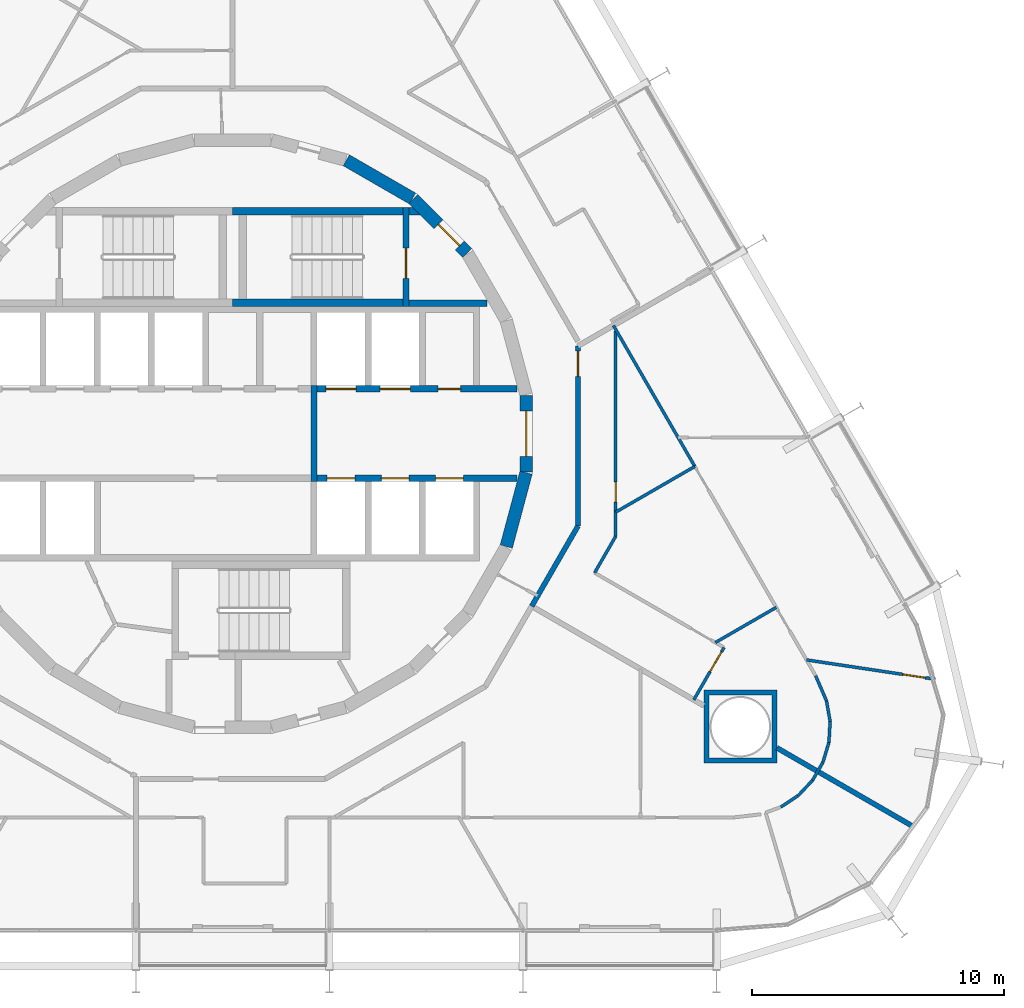
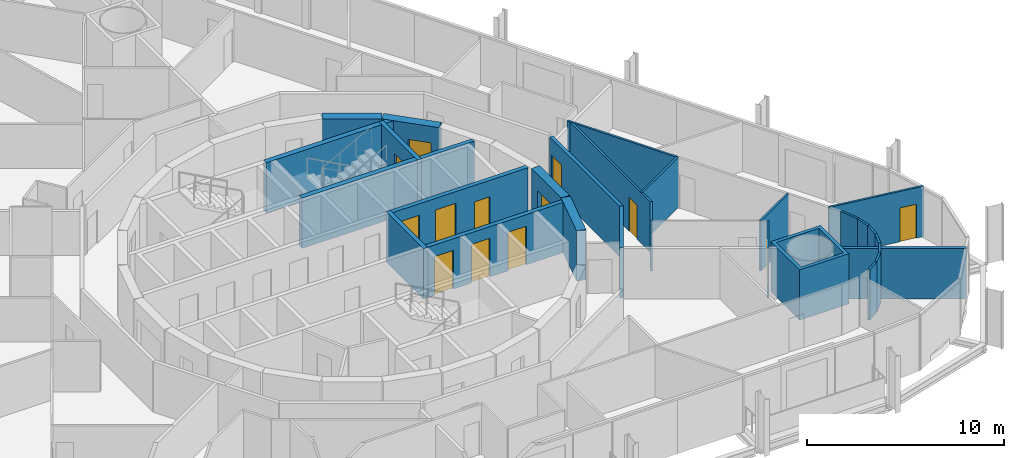
# One storey, part 16 of 20: 30 walls, 13 doors, 13 openings.
"""IFC4 building model written with IfcOpenShell, lengths in metres."""

from ifc_helpers import new_model, si_unit, direction, frame, frame_2d, origin, place, context, subcontext, project, spatial, polyline, rectangle, outline, extrude, material, layer, layer_set, type_object, element, fill, save


model = new_model("IFC4")

# Units and contexts
model_context = context("Model", 3, precision=1e-05, world=origin(), true_north=direction((0.0, 1.0)))
body_context = subcontext(model_context, "Body", "Model", "MODEL_VIEW")
ifc_project = project(units=[si_unit("LENGTHUNIT", "METRE"), si_unit("AREAUNIT", "SQUARE_METRE"), si_unit("VOLUMEUNIT", "CUBIC_METRE"), si_unit("PLANEANGLEUNIT", "RADIAN"), si_unit("MASSUNIT", "GRAM", prefix="KILO")], contexts=[model_context])

# Site, building, storey
site_placement = place(None, origin())
site = spatial("IfcSite", under=ifc_project, at=site_placement, CompositionType="ELEMENT")
building_placement = place(site_placement, origin())
building = spatial("IfcBuilding", under=site, at=building_placement, Name="Spindle Arch Residences", CompositionType="ELEMENT")
storey_placement = place(building_placement, frame((0.0, 0.0, 41.89990234375)))
storey = spatial("IfcBuildingStorey", under=building, at=storey_placement, Name="L08", CompositionType="ELEMENT", Elevation=41.89990234375)

# Wall
ifc_material_1 = material(Name="Concrete C50/60", Category="concrete")
ifc_layer_1 = layer(ifc_material_1, 0.5)
ifc_layer_set_1 = layer_set([ifc_layer_1], Name="Core outline wall 500")
wall_type_1 = type_object("IfcWallType", Name="Core outline wall 500", PredefinedType="SHEAR", material=ifc_layer_set_1)
wall_1_placement = place(storey_placement, frame((10.858154296875, -4.479248046875, 0.0), z_axis=(0.0, 0.0, 1.0), x_axis=(0.258734743916, 0.965948410781, 0.0)))
element("IfcWall", 1, at=wall_1_placement, inside=storey, type_object=wall_type_1, Name="Core outline wall 5", PredefinedType="SHEAR", context=body_context, shape_type="SweptSolid", body=[
    extrude(rectangle(XDim=3.03271484375, YDim=0.5, at=frame_2d((1.516357421875, 0.0))), origin(), (0.0, 0.0, 1.0), 3.1201171875),
])

# Wall, opening, door
wall_2_placement = place(storey_placement, frame((11.647216796875, -1.516357421875, 0.0), z_axis=(0.0, 0.0, 1.0), x_axis=(0.0, 1.0, 0.0)))
wall_2 = element("IfcWall", 2, at=wall_2_placement, inside=storey, type_object=wall_type_1, Name="Core outline wall 6", PredefinedType="SHEAR", context=body_context, shape_type="SweptSolid", body=[
    extrude(rectangle(XDim=3.03271484375, YDim=0.5, at=frame_2d((1.516357421875, 0.0))), origin(), (0.0, 0.0, 1.0), 3.1201171875),
])
opening_1_placement = place(wall_2_placement, frame((0.6162109375, 0.0, 0.0)))
opening_1 = element("IfcOpeningElement", 3, at=opening_1_placement, cuts=wall_2, Name="Opening R1A1-FE01", PredefinedType="OPENING", context=body_context, shape_type="SweptSolid", body=[
    extrude(rectangle(XDim=1.800048828125, YDim=2.10009765625, at=frame_2d((0.89990234375, 1.050048828125))), frame((0.0, 0.260009765625, 0.0), z_axis=(0.0, -1.0, 0.0), x_axis=(1.0, 0.0, 0.0)), (0.0, 0.0, 1.0), 0.52001953125),
])
ifc_material_2 = material(Name="Steel, fire-resisting door", Category="steel")
door_type_1 = type_object("IfcDoorType", Name="Fire-lift lobby door 1800x2100", OperationType="DOUBLE_DOOR_SINGLE_SWING", PredefinedType="DOOR", material=ifc_material_2)
door_1_placement = place(opening_1_placement, origin())
door_1 = element("IfcDoor", 4, at=door_1_placement, inside=storey, type_object=door_type_1, Name="Fire-lift lobby door R1A1-FE01", OperationType="DOUBLE_DOOR_SINGLE_SWING", OverallHeight=2.10009765625, OverallWidth=1.800048828125, PredefinedType="DOOR", context=body_context, shape_type="SweptSolid", body=[
    extrude(rectangle(XDim=1.800048828125, YDim=2.10009765625, at=frame_2d((0.89990234375, 1.050048828125))), frame((0.0, 0.02490234375, 0.0), z_axis=(0.0, -1.0, 0.0), x_axis=(1.0, 0.0, 0.0)), (0.0, 0.0, 1.0), 0.050048828125),
])
fill(opening_1, door_1)

wall_3_placement = place(storey_placement, frame((9.30810546875, 7.163818359375, 0.0), z_axis=(0.0, 0.0, 1.0), x_axis=(-0.707106781187, 0.707106781187, 0.0)))
wall_3 = element("IfcWall", 5, at=wall_3_placement, inside=storey, type_object=wall_type_1, Name="Core outline wall 9", PredefinedType="SHEAR", context=body_context, shape_type="SweptSolid", body=[
    extrude(rectangle(XDim=3.032470703125, YDim=0.5, at=frame_2d((1.51611328125, 0.0))), origin(), (0.0, 0.0, 1.0), 3.1201171875),
])
opening_2_placement = place(wall_3_placement, frame((0.416259765625, 0.0, 0.0)))
opening_2 = element("IfcOpeningElement", 6, at=opening_2_placement, cuts=wall_3, Name="Opening R1A1-AD01", PredefinedType="OPENING", context=body_context, shape_type="SweptSolid", body=[
    extrude(rectangle(XDim=1.199951171875, YDim=2.10009765625, at=frame_2d((0.60009765625, 1.050048828125))), frame((0.0, 0.260009765625, 0.0), z_axis=(0.0, -1.0, 0.0), x_axis=(1.0, 0.0, 0.0)), (0.0, 0.0, 1.0), 0.52001953125),
])
ifc_material_3 = material(Name="Steel, fire-resisting door", Category="steel")
door_type_2 = type_object("IfcDoorType", Name="Stair airlock door 1200x2100", OperationType="SINGLE_SWING_LEFT", PredefinedType="DOOR", material=ifc_material_3)
door_2_placement = place(opening_2_placement, origin())
door_2 = element("IfcDoor", 7, at=door_2_placement, inside=storey, type_object=door_type_2, Name="Stair airlock door R1A1-AD01", OperationType="SINGLE_SWING_RIGHT", OverallHeight=2.10009765625, OverallWidth=1.199951171875, PredefinedType="DOOR", context=body_context, shape_type="SweptSolid", body=[
    extrude(rectangle(XDim=1.199951171875, YDim=2.10009765625, at=frame_2d((0.60009765625, 1.050048828125))), frame((0.0, 0.02490234375, 0.0), z_axis=(0.0, -1.0, 0.0), x_axis=(1.0, 0.0, 0.0)), (0.0, 0.0, 1.0), 0.050048828125),
])
fill(opening_2, door_2)

# Walls
wall_4_placement = place(storey_placement, frame((7.13671875, 9.32861328125, 0.0), z_axis=(0.0, 0.0, 1.0), x_axis=(-0.865975092491, 0.500087131594, 0.0)))
element("IfcWall", 8, at=wall_4_placement, inside=storey, type_object=wall_type_1, Name="Core outline wall 10", PredefinedType="SHEAR", context=body_context, shape_type="SweptSolid", body=[
    extrude(rectangle(XDim=3.03271484375, YDim=0.5, at=frame_2d((1.516357421875, 0.0))), origin(), (0.0, 0.0, 1.0), 3.1201171875),
])
ifc_material_4 = material(Name="Calcium silicate block, plastered")
ifc_layer_2 = layer(ifc_material_4, 0.199951171875)
ifc_layer_set_2 = layer_set([ifc_layer_2], Name="Corridor wall 200")
wall_type_2 = type_object("IfcWallType", Name="Corridor wall 200", PredefinedType="STANDARD", material=ifc_layer_set_2)
wall_5_placement = place(storey_placement, frame((11.864990234375, -6.84912109375, 0.0), z_axis=(0.0, 0.0, 1.0), x_axis=(0.500002704028, 0.866023842607, 0.0)))
element("IfcWall", 9, at=wall_5_placement, inside=storey, type_object=wall_type_2, Name="Corridor wall R1A1-W007", PredefinedType="STANDARD", context=body_context, shape_type="SweptSolid", body=[
    extrude(rectangle(XDim=3.669921875, YDim=0.199951171875, at=frame_2d((1.8349609375, 0.0))), origin(), (0.0, 0.0, 1.0), 3.1201171875),
])

# Wall, opening, door
wall_6_placement = place(storey_placement, frame((13.699951171875, -3.6708984375, 0.0), z_axis=(0.0, 0.0, 1.0), x_axis=(0.0, 1.0, 0.0)))
wall_6 = element("IfcWall", 10, at=wall_6_placement, inside=storey, type_object=wall_type_2, Name="Corridor wall R1A1-W008", PredefinedType="STANDARD", context=body_context, shape_type="SweptSolid", body=[
    extrude(rectangle(XDim=7.146484375, YDim=0.199951171875, at=frame_2d((3.5732421875, 0.0))), origin(), (0.0, 0.0, 1.0), 3.1201171875),
])
opening_3_placement = place(wall_6_placement, frame((5.946533203125, 0.0, 0.0)))
opening_3 = element("IfcOpeningElement", 11, at=opening_3_placement, cuts=wall_6, Name="Opening R1A1-FD06", PredefinedType="OPENING", context=body_context, shape_type="SweptSolid", body=[
    extrude(rectangle(XDim=1.0, YDim=2.10009765625, at=frame_2d((0.5, 1.050048828125))), frame((0.0, 0.10986328125, 0.0), z_axis=(0.0, -1.0, 0.0), x_axis=(1.0, 0.0, 0.0)), (0.0, 0.0, 1.0), 0.219970703125),
])
ifc_material_5 = material(Name="Timber, fire-resisting door set", Category="wood")
door_type_3 = type_object("IfcDoorType", Name="Flat entrance door 1000x2100", OperationType="NOTDEFINED", PredefinedType="DOOR", material=ifc_material_5)
door_3_placement = place(opening_3_placement, origin())
door_3 = element("IfcDoor", 12, at=door_3_placement, inside=storey, type_object=door_type_3, Name="Flat entrance door R1A1-FD06", OperationType="SINGLE_SWING_LEFT", OverallHeight=2.10009765625, OverallWidth=1.0, PredefinedType="DOOR", context=body_context, shape_type="SweptSolid", body=[
    extrude(rectangle(XDim=1.0, YDim=2.10009765625, at=frame_2d((0.5, 1.050048828125))), frame((0.0, 0.02490234375, 0.0), z_axis=(0.0, -1.0, 0.0), x_axis=(1.0, 0.0, 0.0)), (0.0, 0.0, 1.0), 0.050048828125),
])
fill(opening_3, door_3)

# Wall, openings, doors
ifc_material_6 = material(Name="Concrete C40/50", Category="concrete")
ifc_layer_3 = layer(ifc_material_6, 0.25)
ifc_layer_set_3 = layer_set([ifc_layer_3], Name="Fire-lift lobby wall 250")
wall_type_3 = type_object("IfcWallType", Name="Fire-lift lobby wall 250", PredefinedType="SHEAR", material=ifc_layer_set_3)
wall_7_placement = place(storey_placement, frame((3.35009765625, 1.77490234375, 0.0), z_axis=(0.0, 0.0, 1.0), x_axis=(1.0, 0.0, 0.0)))
wall_7 = element("IfcWall", 13, at=wall_7_placement, inside=storey, type_object=wall_type_3, Name="Lift shaft front wall NE", PredefinedType="SHEAR", context=body_context, shape_type="SweptSolid", body=[
    extrude(rectangle(XDim=7.929931640625, YDim=0.25, at=frame_2d((3.96484375, 0.0))), origin(), (0.0, 0.0, 1.0), 3.1201171875),
])
opening_4_placement = place(wall_7_placement, frame((0.35009765625, 0.0, 0.0)))
opening_4 = element("IfcOpeningElement", 14, at=opening_4_placement, cuts=wall_7, Name="Opening R1A1-SLD01", PredefinedType="OPENING", context=body_context, shape_type="SweptSolid", body=[
    extrude(rectangle(XDim=1.199951171875, YDim=2.39990234375, at=frame_2d((0.60009765625, 1.199951171875))), frame((0.0, 0.135009765625, 0.0), z_axis=(0.0, -1.0, 0.0), x_axis=(1.0, 0.0, 0.0)), (0.0, 0.0, 1.0), 0.27001953125),
])
opening_5_placement = place(wall_7_placement, frame((2.5, 0.0, 0.0)))
opening_5 = element("IfcOpeningElement", 15, at=opening_5_placement, cuts=wall_7, Name="Opening R1A1-SLD02", PredefinedType="OPENING", context=body_context, shape_type="SweptSolid", body=[
    extrude(rectangle(XDim=1.199951171875, YDim=2.39990234375, at=frame_2d((0.60009765625, 1.199951171875))), frame((0.0, 0.135009765625, 0.0), z_axis=(0.0, -1.0, 0.0), x_axis=(1.0, 0.0, 0.0)), (0.0, 0.0, 1.0), 0.27001953125),
])
opening_6_placement = place(wall_7_placement, frame((4.800048828125, 0.0, 0.0)))
opening_6 = element("IfcOpeningElement", 16, at=opening_6_placement, cuts=wall_7, Name="Opening R1A1-WD03", PredefinedType="OPENING", context=body_context, shape_type="SweptSolid", body=[
    extrude(rectangle(XDim=0.89990234375, YDim=2.10009765625, at=frame_2d((0.449951171875, 1.050048828125))), frame((0.0, 0.135009765625, 0.0), z_axis=(0.0, -1.0, 0.0), x_axis=(1.0, 0.0, 0.0)), (0.0, 0.0, 1.0), 0.27001953125),
])
ifc_material_7 = material(Name="Steel, fire-resisting landing door", Category="steel")
door_type_4 = type_object("IfcDoorType", Name="Service lift landing door 1200x2400", OperationType="DOUBLE_DOOR_SLIDING", PredefinedType="DOOR", material=ifc_material_7)
door_4_placement = place(opening_4_placement, origin())
door_4 = element("IfcDoor", 17, at=door_4_placement, inside=storey, type_object=door_type_4, Name="Service lift landing door R1A1-SLD01", OperationType="DOUBLE_DOOR_SLIDING", OverallHeight=2.39990234375, OverallWidth=1.199951171875, PredefinedType="DOOR", context=body_context, shape_type="SweptSolid", body=[
    extrude(rectangle(XDim=1.199951171875, YDim=2.39990234375, at=frame_2d((0.60009765625, 1.199951171875))), frame((0.0, 0.02490234375, 0.0), z_axis=(0.0, -1.0, 0.0), x_axis=(1.0, 0.0, 0.0)), (0.0, 0.0, 1.0), 0.050048828125),
])
fill(opening_4, door_4)
door_5_placement = place(opening_5_placement, origin())
door_5 = element("IfcDoor", 18, at=door_5_placement, inside=storey, type_object=door_type_4, Name="Service lift landing door R1A1-SLD02", OperationType="DOUBLE_DOOR_SLIDING", OverallHeight=2.39990234375, OverallWidth=1.199951171875, PredefinedType="DOOR", context=body_context, shape_type="SweptSolid", body=[
    extrude(rectangle(XDim=1.199951171875, YDim=2.39990234375, at=frame_2d((0.60009765625, 1.199951171875))), frame((0.0, 0.02490234375, 0.0), z_axis=(0.0, -1.0, 0.0), x_axis=(1.0, 0.0, 0.0)), (0.0, 0.0, 1.0), 0.050048828125),
])
fill(opening_5, door_5)
ifc_material_8 = material(Name="Steel, fire-resisting door", Category="steel")
door_type_5 = type_object("IfcDoorType", Name="Service room door 900x2100", OperationType="SINGLE_SWING_LEFT", PredefinedType="DOOR", material=ifc_material_8)
door_6_placement = place(opening_6_placement, origin())
door_6 = element("IfcDoor", 19, at=door_6_placement, inside=storey, type_object=door_type_5, Name="Service room door R1A1-WD03", OperationType="SINGLE_SWING_RIGHT", OverallHeight=2.10009765625, OverallWidth=0.89990234375, PredefinedType="DOOR", context=body_context, shape_type="SweptSolid", body=[
    extrude(rectangle(XDim=0.89990234375, YDim=2.10009765625, at=frame_2d((0.449951171875, 1.050048828125))), frame((0.0, 0.02490234375, 0.0), z_axis=(0.0, -1.0, 0.0), x_axis=(1.0, 0.0, 0.0)), (0.0, 0.0, 1.0), 0.050048828125),
])
fill(opening_6, door_6)

# Wall
wall_8_placement = place(storey_placement, frame((3.22509765625, -1.89990234375, 0.0), z_axis=(0.0, 0.0, 1.0), x_axis=(0.0, 1.0, 0.0)))
element("IfcWall", 20, at=wall_8_placement, inside=storey, type_object=wall_type_3, Name="Fire-fighting lobby partition", PredefinedType="SHEAR", context=body_context, shape_type="SweptSolid", body=[
    extrude(rectangle(XDim=3.7998046875, YDim=0.25, at=frame_2d((1.89990234375, 0.0))), origin(), (0.0, 0.0, 1.0), 3.1201171875),
])

# Wall, openings, doors
ifc_material_9 = material(Name="Concrete C50/60", Category="concrete")
ifc_layer_4 = layer(ifc_material_9, 0.25)
ifc_layer_set_4 = layer_set([ifc_layer_4], Name="Fire-lift shaft wall 250")
wall_type_4 = type_object("IfcWallType", Name="Fire-lift shaft wall 250", PredefinedType="SHEAR", material=ifc_layer_set_4)
wall_9_placement = place(storey_placement, frame((3.35009765625, -1.77490234375, 0.0), z_axis=(0.0, 0.0, 1.0), x_axis=(1.0, 0.0, 0.0)))
wall_9 = element("IfcWall", 21, at=wall_9_placement, inside=storey, type_object=wall_type_4, Name="Lift shaft front wall SE", PredefinedType="SHEAR", context=body_context, shape_type="SweptSolid", body=[
    extrude(rectangle(XDim=7.929931640625, YDim=0.25, at=frame_2d((3.96484375, 0.0))), origin(), (0.0, 0.0, 1.0), 3.1201171875),
])
opening_7_placement = place(wall_9_placement, frame((0.39990234375, 0.0, 0.0)))
opening_7 = element("IfcOpeningElement", 22, at=opening_7_placement, cuts=wall_9, Name="Opening R1A1-FLD01", PredefinedType="OPENING", context=body_context, shape_type="SweptSolid", body=[
    extrude(rectangle(XDim=1.10009765625, YDim=2.39990234375, at=frame_2d((0.550048828125, 1.199951171875))), frame((0.0, 0.135009765625, 0.0), z_axis=(0.0, -1.0, 0.0), x_axis=(1.0, 0.0, 0.0)), (0.0, 0.0, 1.0), 0.27001953125),
])
opening_8_placement = place(wall_9_placement, frame((2.550048828125, 0.0, 0.0)))
opening_8 = element("IfcOpeningElement", 23, at=opening_8_placement, cuts=wall_9, Name="Opening R1A1-FLD02", PredefinedType="OPENING", context=body_context, shape_type="SweptSolid", body=[
    extrude(rectangle(XDim=1.10009765625, YDim=2.39990234375, at=frame_2d((0.550048828125, 1.199951171875))), frame((0.0, 0.135009765625, 0.0), z_axis=(0.0, -1.0, 0.0), x_axis=(1.0, 0.0, 0.0)), (0.0, 0.0, 1.0), 0.27001953125),
])
opening_9_placement = place(wall_9_placement, frame((4.699951171875, 0.0, 0.0)))
opening_9 = element("IfcOpeningElement", 24, at=opening_9_placement, cuts=wall_9, Name="Opening R1A1-FLD03", PredefinedType="OPENING", context=body_context, shape_type="SweptSolid", body=[
    extrude(rectangle(XDim=1.10009765625, YDim=2.39990234375, at=frame_2d((0.550048828125, 1.199951171875))), frame((0.0, 0.135009765625, 0.0), z_axis=(0.0, -1.0, 0.0), x_axis=(1.0, 0.0, 0.0)), (0.0, 0.0, 1.0), 0.27001953125),
])
ifc_material_10 = material(Name="Steel, fire-resisting landing door", Category="steel")
door_type_6 = type_object("IfcDoorType", Name="Fire-fighting lift landing door 1100x2400", OperationType="DOUBLE_DOOR_SLIDING", PredefinedType="DOOR", material=ifc_material_10)
door_7_placement = place(opening_7_placement, origin())
door_7 = element("IfcDoor", 25, at=door_7_placement, inside=storey, type_object=door_type_6, Name="Fire-fighting lift landing door R1A1-FLD01", OperationType="DOUBLE_DOOR_SLIDING", OverallHeight=2.39990234375, OverallWidth=1.10009765625, PredefinedType="DOOR", context=body_context, shape_type="SweptSolid", body=[
    extrude(rectangle(XDim=1.10009765625, YDim=2.39990234375, at=frame_2d((0.550048828125, 1.199951171875))), frame((0.0, 0.02490234375, 0.0), z_axis=(0.0, -1.0, 0.0), x_axis=(1.0, 0.0, 0.0)), (0.0, 0.0, 1.0), 0.050048828125),
])
fill(opening_7, door_7)
door_8_placement = place(opening_8_placement, origin())
door_8 = element("IfcDoor", 26, at=door_8_placement, inside=storey, type_object=door_type_6, Name="Fire-fighting lift landing door R1A1-FLD02", OperationType="DOUBLE_DOOR_SLIDING", OverallHeight=2.39990234375, OverallWidth=1.10009765625, PredefinedType="DOOR", context=body_context, shape_type="SweptSolid", body=[
    extrude(rectangle(XDim=1.10009765625, YDim=2.39990234375, at=frame_2d((0.550048828125, 1.199951171875))), frame((0.0, 0.02490234375, 0.0), z_axis=(0.0, -1.0, 0.0), x_axis=(1.0, 0.0, 0.0)), (0.0, 0.0, 1.0), 0.050048828125),
])
fill(opening_8, door_8)
door_9_placement = place(opening_9_placement, origin())
door_9 = element("IfcDoor", 27, at=door_9_placement, inside=storey, type_object=door_type_6, Name="Fire-fighting lift landing door R1A1-FLD03", OperationType="DOUBLE_DOOR_SLIDING", OverallHeight=2.39990234375, OverallWidth=1.10009765625, PredefinedType="DOOR", context=body_context, shape_type="SweptSolid", body=[
    extrude(rectangle(XDim=1.10009765625, YDim=2.39990234375, at=frame_2d((0.550048828125, 1.199951171875))), frame((0.0, 0.02490234375, 0.0), z_axis=(0.0, -1.0, 0.0), x_axis=(1.0, 0.0, 0.0)), (0.0, 0.0, 1.0), 0.050048828125),
])
fill(opening_9, door_9)

# Walls
ifc_material_11 = material(Name="Plasterboard on steel studs", Category="steel")
ifc_layer_5 = layer(ifc_material_11, 0.1201171875)
ifc_layer_set_5 = layer_set([ifc_layer_5], Name="Flat partition 120")
wall_type_5 = type_object("IfcWallType", Name="Flat partition 120", PredefinedType="PARTITIONING", material=ifc_layer_set_5)
wall_10_placement = place(storey_placement, frame((21.745849609375, -14.8203125, 0.0), z_axis=(0.0, 0.0, 1.0), x_axis=(0.835477570013, 0.549524549046, 0.0)))
element("IfcWall", 28, at=wall_10_placement, inside=storey, type_object=wall_type_5, Name="Flat partition R1A1-W098", PredefinedType="PARTITIONING", context=body_context, shape_type="SweptSolid", body=[
    extrude(rectangle(XDim=0.8291015625, YDim=0.1201171875, at=frame_2d((0.41455078125, 0.0))), origin(), (0.0, 0.0, 1.0), 3.1201171875),
])
wall_11_placement = place(storey_placement, frame((22.4384765625, -14.36474609375, 0.0), z_axis=(0.0, 0.0, 1.0), x_axis=(0.686182189596, 0.727429723535, 0.0)))
element("IfcWall", 29, at=wall_11_placement, inside=storey, type_object=wall_type_5, Name="Flat partition R1A1-W099", PredefinedType="PARTITIONING", context=body_context, shape_type="SweptSolid", body=[
    extrude(rectangle(XDim=0.82861328125, YDim=0.1201171875, at=frame_2d((0.414306640625, 0.0))), origin(), (0.0, 0.0, 1.0), 3.1201171875),
])
wall_12_placement = place(storey_placement, frame((23.007080078125, -13.761962890625, 0.0), z_axis=(0.0, 0.0, 1.0), x_axis=(0.500002839747, 0.86602376425, 0.0)))
element("IfcWall", 30, at=wall_12_placement, inside=storey, type_object=wall_type_5, Name="Flat partition R1A1-W100", PredefinedType="PARTITIONING", context=body_context, shape_type="SweptSolid", body=[
    extrude(rectangle(XDim=0.8291015625, YDim=0.1201171875, at=frame_2d((0.41455078125, 0.0))), origin(), (0.0, 0.0, 1.0), 3.1201171875),
])

# Wall, opening, door
wall_13_placement = place(storey_placement, frame((18.297607421875, -10.564208984375, 0.0), z_axis=(0.0, 0.0, 1.0), x_axis=(0.499960392047, 0.866048270239, 0.0)))
wall_13 = element("IfcWall", 31, at=wall_13_placement, inside=storey, type_object=wall_type_5, Name="Flat partition R1A1-W101", PredefinedType="PARTITIONING", context=body_context, shape_type="SweptSolid", body=[
    extrude(rectangle(XDim=2.398193359375, YDim=0.1201171875, at=frame_2d((1.19921875, 0.0))), origin(), (0.0, 0.0, 1.0), 3.1201171875),
])
opening_10_placement = place(wall_13_placement, frame((1.298095703125, 0.0, 0.0)))
opening_10 = element("IfcOpeningElement", 32, at=opening_10_placement, cuts=wall_13, Name="Opening R1A1-ID30", PredefinedType="OPENING", context=body_context, shape_type="SweptSolid", body=[
    extrude(rectangle(XDim=0.89990234375, YDim=2.10009765625, at=frame_2d((0.449951171875, 1.050048828125))), frame((0.0, 0.070068359375, 0.0), z_axis=(0.0, -1.0, 0.0), x_axis=(1.0, 0.0, 0.0)), (0.0, 0.0, 1.0), 0.14013671875),
])
ifc_material_12 = material(Name="Timber door set", Category="wood")
door_type_7 = type_object("IfcDoorType", Name="Room door 900x2100", OperationType="NOTDEFINED", PredefinedType="DOOR", material=ifc_material_12)
door_10_placement = place(opening_10_placement, origin())
door_10 = element("IfcDoor", 33, at=door_10_placement, inside=storey, type_object=door_type_7, Name="Room door R1A1-ID30", OperationType="SINGLE_SWING_LEFT", OverallHeight=2.10009765625, OverallWidth=0.89990234375, PredefinedType="DOOR", context=body_context, shape_type="SweptSolid", body=[
    extrude(rectangle(XDim=0.89990234375, YDim=2.10009765625, at=frame_2d((0.449951171875, 1.050048828125))), frame((0.0, 0.02490234375, 0.0), z_axis=(0.0, -1.0, 0.0), x_axis=(1.0, 0.0, 0.0)), (0.0, 0.0, 1.0), 0.050048828125),
])
fill(opening_10, door_10)

# Wall
wall_14_placement = place(storey_placement, frame((14.362548828125, -5.523193359375, 0.0), z_axis=(0.0, 0.0, 1.0), x_axis=(0.499995851058, 0.866027799164, 0.0)))
element("IfcWall", 34, at=wall_14_placement, inside=storey, type_object=wall_type_5, Name="Flat partition R1A1-W103", PredefinedType="PARTITIONING", context=body_context, shape_type="SweptSolid", body=[
    extrude(rectangle(XDim=1.6748046875, YDim=0.1201171875, at=frame_2d((0.83740234375, 0.0))), origin(), (0.0, 0.0, 1.0), 3.1201171875),
])

# Wall, opening, door
wall_15_placement = place(storey_placement, frame((15.199951171875, -4.07275390625, 0.0), z_axis=(0.0, 0.0, 1.0), x_axis=(0.0, 1.0, 0.0)))
wall_15 = element("IfcWall", 35, at=wall_15_placement, inside=storey, type_object=wall_type_5, Name="Flat partition R1A1-W104", PredefinedType="PARTITIONING", context=body_context, shape_type="SweptSolid", body=[
    extrude(rectangle(XDim=8.1455078125, YDim=0.1201171875, at=frame_2d((4.07275390625, 0.0))), origin(), (0.0, 0.0, 1.0), 3.1201171875),
])
opening_11_placement = place(wall_15_placement, frame((1.357177734375, 0.0, 0.0)))
opening_11 = element("IfcOpeningElement", 36, at=opening_11_placement, cuts=wall_15, Name="Opening R1A1-BD07", PredefinedType="OPENING", context=body_context, shape_type="SweptSolid", body=[
    extrude(rectangle(XDim=0.800048828125, YDim=2.10009765625, at=frame_2d((0.39990234375, 1.050048828125))), frame((0.0, 0.070068359375, 0.0), z_axis=(0.0, -1.0, 0.0), x_axis=(1.0, 0.0, 0.0)), (0.0, 0.0, 1.0), 0.14013671875),
])
ifc_material_13 = material(Name="Timber door set", Category="wood")
door_type_8 = type_object("IfcDoorType", Name="Bathroom door 800x2100", OperationType="NOTDEFINED", PredefinedType="DOOR", material=ifc_material_13)
door_11_placement = place(opening_11_placement, origin())
door_11 = element("IfcDoor", 37, at=door_11_placement, inside=storey, type_object=door_type_8, Name="Bathroom door R1A1-BD07", OperationType="SINGLE_SWING_LEFT", OverallHeight=2.10009765625, OverallWidth=0.800048828125, PredefinedType="DOOR", context=body_context, shape_type="SweptSolid", body=[
    extrude(rectangle(XDim=0.800048828125, YDim=2.10009765625, at=frame_2d((0.39990234375, 1.050048828125))), frame((0.0, 0.02490234375, 0.0), z_axis=(0.0, -1.0, 0.0), x_axis=(1.0, 0.0, 0.0)), (0.0, 0.0, 1.0), 0.050048828125),
])
fill(opening_11, door_11)

# Walls
wall_16_placement = place(storey_placement, frame((15.109619140625, 4.289306640625, 0.0), z_axis=(0.0, 0.0, 1.0), x_axis=(0.500001702147, -0.866024421047, 0.0)))
element("IfcWall", 38, at=wall_16_placement, inside=storey, type_object=wall_type_5, Name="Flat partition R1A1-W106", PredefinedType="PARTITIONING", context=body_context, shape_type="SweptSolid", body=[
    extrude(rectangle(XDim=6.4580078125, YDim=0.1201171875, at=frame_2d((3.22900390625, 0.0))), origin(), (0.0, 0.0, 1.0), 3.1201171875),
])
wall_17_placement = place(storey_placement, frame((23.133056640625, -9.60791015625, 0.0), z_axis=(0.0, 0.0, 1.0), x_axis=(0.396195073027, -0.918166359713, 0.0)))
element("IfcWall", 39, at=wall_17_placement, inside=storey, type_object=wall_type_5, Name="Flat partition R1A1-W108", PredefinedType="PARTITIONING", context=body_context, shape_type="SweptSolid", body=[
    extrude(rectangle(XDim=1.0869140625, YDim=0.1201171875, at=frame_2d((0.54345703125, 0.0))), origin(), (0.0, 0.0, 1.0), 3.1201171875),
])
for number, where, z_axis, x_axis, name in (
    (40, (23.563720703125, -10.60595703125, 0.0), (0.0, 0.0, 1.0), (0.173466108083, -0.984839839439, 0.0), "Flat partition R1A1-W109"),
    (41, (23.70751953125, -11.42236328125, 0.0), (0.0, 0.0, 1.0), (-0.058031280246, -0.998314765248, 0.0), "Flat partition R1A1-W110"),
):
    element("IfcWall", number, at=place(storey_placement, frame(where, z_axis=z_axis, x_axis=x_axis)), inside=storey, type_object=wall_type_5, Name=name, PredefinedType="PARTITIONING", context=body_context, shape_type="SweptSolid", body=[
        extrude(rectangle(XDim=0.828857421875, YDim=0.1201171875, at=frame_2d((0.41455078125, 0.0))), origin(), (0.0, 0.0, 1.0), 3.1201171875),
    ])
wall_18_placement = place(storey_placement, frame((23.659423828125, -12.249755859375, 0.0), z_axis=(0.0, 0.0, 1.0), x_axis=(-0.286834510868, -0.957980147694, 0.0)))
element("IfcWall", 42, at=wall_18_placement, inside=storey, type_object=wall_type_5, Name="Flat partition R1A1-W111", PredefinedType="PARTITIONING", context=body_context, shape_type="SweptSolid", body=[
    extrude(rectangle(XDim=0.8291015625, YDim=0.1201171875, at=frame_2d((0.41455078125, 0.0))), origin(), (0.0, 0.0, 1.0), 3.1201171875),
])

# Wall, opening, door
wall_19_placement = place(storey_placement, frame((27.880126953125, -9.7470703125, 0.0), z_axis=(0.0, 0.0, 1.0), x_axis=(-0.988899241625, 0.14858765061, 0.0)))
wall_19 = element("IfcWall", 43, at=wall_19_placement, inside=storey, type_object=wall_type_5, Name="Flat partition R1A1-W112", PredefinedType="PARTITIONING", context=body_context, shape_type="SweptSolid", body=[
    extrude(rectangle(XDim=5.16748046875, YDim=0.1201171875, at=frame_2d((2.583740234375, 0.0))), origin(), (0.0, 0.0, 1.0), 3.1201171875),
])
opening_12_placement = place(wall_19_placement, frame((0.39990234375, 0.0, 0.0)))
opening_12 = element("IfcOpeningElement", 44, at=opening_12_placement, cuts=wall_19, Name="Opening R1A1-ID34", PredefinedType="OPENING", context=body_context, shape_type="SweptSolid", body=[
    extrude(rectangle(XDim=0.89990234375, YDim=2.10009765625, at=frame_2d((0.449951171875, 1.050048828125))), frame((0.0, 0.070068359375, 0.0), z_axis=(0.0, -1.0, 0.0), x_axis=(1.0, 0.0, 0.0)), (0.0, 0.0, 1.0), 0.14013671875),
])
door_12_placement = place(opening_12_placement, origin())
door_12 = element("IfcDoor", 45, at=door_12_placement, inside=storey, type_object=door_type_7, Name="Room door R1A1-ID34", OperationType="SINGLE_SWING_LEFT", OverallHeight=2.10009765625, OverallWidth=0.89990234375, PredefinedType="DOOR", context=body_context, shape_type="SweptSolid", body=[
    extrude(rectangle(XDim=0.89990234375, YDim=2.10009765625, at=frame_2d((0.449951171875, 1.050048828125))), frame((0.0, 0.02490234375, 0.0), z_axis=(0.0, -1.0, 0.0), x_axis=(1.0, 0.0, 0.0)), (0.0, 0.0, 1.0), 0.050048828125),
])
fill(opening_12, door_12)

# Walls
wall_20_placement = place(storey_placement, frame((21.567626953125, -6.896484375, 0.0), z_axis=(0.0, 0.0, 1.0), x_axis=(-0.866029478545, -0.499992942241, 0.0)))
element("IfcWall", 46, at=wall_20_placement, inside=storey, type_object=wall_type_5, Name="Flat partition R1A1-W113", PredefinedType="PARTITIONING", context=body_context, shape_type="SweptSolid", body=[
    extrude(rectangle(XDim=2.78662109375, YDim=0.1201171875, at=frame_2d((1.393310546875, 0.0))), origin(), (0.0, 0.0, 1.0), 3.1201171875),
])
wall_21_placement = place(storey_placement, frame((18.338623046875, -1.303466796875, 0.0), z_axis=(0.0, 0.0, 1.0), x_axis=(-0.866037510713, -0.499979029598, 0.0)))
element("IfcWall", 47, at=wall_21_placement, inside=storey, type_object=wall_type_5, Name="Flat partition R1A1-W114", PredefinedType="PARTITIONING", context=body_context, shape_type="SweptSolid", body=[
    extrude(rectangle(XDim=3.624267578125, YDim=0.1201171875, at=frame_2d((1.81201171875, 0.0))), origin(), (0.0, 0.0, 1.0), 3.1201171875),
])
ifc_material_14 = material(Name="Calcium silicate block, plastered")
ifc_layer_6 = layer(ifc_material_14, 0.199951171875)
ifc_layer_set_6 = layer_set([ifc_layer_6], Name="Flat party wall 200")
wall_type_6 = type_object("IfcWallType", Name="Flat party wall 200", PredefinedType="STANDARD", material=ifc_layer_set_6)
wall_22_placement = place(storey_placement, frame((27.02490234375, -15.602783203125, 0.0), z_axis=(0.0, 0.0, 1.0), x_axis=(-0.866030653443, 0.499990907215, 0.0)))
element("IfcWall", 48, at=wall_22_placement, inside=storey, type_object=wall_type_6, Name="Flat party wall R1A1-W026", PredefinedType="STANDARD", context=body_context, shape_type="SweptSolid", body=[
    extrude(rectangle(XDim=6.271484375, YDim=0.199951171875, at=frame_2d((3.1357421875, 0.0))), origin(), (0.0, 0.0, 1.0), 3.1201171875),
])
ifc_material_15 = material(Name="Calcium silicate block, plastered")
ifc_layer_7 = layer(ifc_material_15, 0.199951171875)
ifc_layer_set_7 = layer_set([ifc_layer_7], Name="Mega-column casing wall 200")
wall_type_7 = type_object("IfcWallType", Name="Mega-column casing wall 200", PredefinedType="STANDARD", material=ifc_layer_set_7)
wall_23_placement = place(storey_placement, origin())
element("IfcWall", 49, at=wall_23_placement, inside=storey, type_object=wall_type_7, Name="Mega-column casing wall R1A1-WC03", PredefinedType="STANDARD", context=body_context, shape_type="SweptSolid", body=[
    extrude(outline(polyline([(21.593505859375, -10.179931640625), (21.593505859375, -13.079833984375), (18.693603515625, -13.079833984375), (18.693603515625, -10.179931640625), (21.593505859375, -10.179931640625)]), holes=[polyline([(18.8935546875, -12.8798828125), (21.3935546875, -12.8798828125), (21.3935546875, -10.3798828125), (18.8935546875, -10.3798828125), (18.8935546875, -12.8798828125)])]), origin(), (0.0, 0.0, 1.0), 3.1201171875),
])
ifc_material_16 = material(Name="Concrete C40/50", Category="concrete")
ifc_layer_8 = layer(ifc_material_16, 0.25)
ifc_layer_set_8 = layer_set([ifc_layer_8], Name="Stair airlock wall 250")
wall_type_8 = type_object("IfcWallType", Name="Stair airlock wall 250", PredefinedType="SHEAR", material=ifc_layer_set_8)
wall_24_placement = place(storey_placement, frame((7.0, 5.175048828125, 0.0), z_axis=(0.0, 0.0, 1.0), x_axis=(1.0, 0.0, 0.0)))
element("IfcWall", 50, at=wall_24_placement, inside=storey, type_object=wall_type_8, Name="Stair ST-1 airlock wall S", PredefinedType="SHEAR", context=body_context, shape_type="SweptSolid", body=[
    extrude(rectangle(XDim=3.10009765625, YDim=0.25, at=frame_2d((1.550048828125, 0.0))), origin(), (0.0, 0.0, 1.0), 3.1201171875),
])
ifc_material_17 = material(Name="Concrete C40/50", Category="concrete")
wall_type_9 = type_object("IfcWallType", Name="Stair airlock wall profile", PredefinedType="SHEAR", material=ifc_material_17)
wall_25_placement = place(storey_placement, origin())
element("IfcWall", 51, at=wall_25_placement, inside=storey, type_object=wall_type_9, Name="Stair ST-1 airlock wall N", PredefinedType="SHEAR", context=body_context, shape_type="SweptSolid", body=[
    extrude(outline(polyline([(7.4482421875, 8.669921875), (7.0, 8.669921875), (7.0, 8.969970703125), (7.148193359375, 8.969970703125), (7.4482421875, 8.669921875)])), origin(), (0.0, 0.0, 1.0), 3.1201171875),
])

# Wall, opening, door
ifc_material_18 = material(Name="Concrete C50/60", Category="concrete")
ifc_layer_9 = layer(ifc_material_18, 0.25)
ifc_layer_set_9 = layer_set([ifc_layer_9], Name="Stair enclosure wall 250")
wall_type_10 = type_object("IfcWallType", Name="Stair enclosure wall 250", PredefinedType="SHEAR", material=ifc_layer_set_9)
wall_26_placement = place(storey_placement, frame((6.875, 5.050048828125, 0.0), z_axis=(0.0, 0.0, 1.0), x_axis=(0.0, 1.0, 0.0)))
wall_26 = element("IfcWall", 52, at=wall_26_placement, inside=storey, type_object=wall_type_10, Name="Stair ST-1 door wall", PredefinedType="SHEAR", context=body_context, shape_type="SweptSolid", body=[
    extrude(rectangle(XDim=3.919921875, YDim=0.25, at=frame_2d((1.9599609375, 0.0))), origin(), (0.0, 0.0, 1.0), 3.1201171875),
])
opening_13_placement = place(wall_26_placement, frame((1.110107421875, 0.0, 0.0)))
opening_13 = element("IfcOpeningElement", 53, at=opening_13_placement, cuts=wall_26, Name="Opening R1A1-SD01", PredefinedType="OPENING", context=body_context, shape_type="SweptSolid", body=[
    extrude(rectangle(XDim=1.199951171875, YDim=2.10009765625, at=frame_2d((0.60009765625, 1.050048828125))), frame((0.0, 0.135009765625, 0.0), z_axis=(0.0, -1.0, 0.0), x_axis=(1.0, 0.0, 0.0)), (0.0, 0.0, 1.0), 0.27001953125),
])
ifc_material_19 = material(Name="Steel, fire-resisting door", Category="steel")
door_type_9 = type_object("IfcDoorType", Name="Stair door 1200x2100", OperationType="SINGLE_SWING_RIGHT", PredefinedType="DOOR", material=ifc_material_19)
door_13_placement = place(opening_13_placement, origin())
door_13 = element("IfcDoor", 54, at=door_13_placement, inside=storey, type_object=door_type_9, Name="Stair door R1A1-SD01", OperationType="SINGLE_SWING_LEFT", OverallHeight=2.10009765625, OverallWidth=1.199951171875, PredefinedType="DOOR", context=body_context, shape_type="SweptSolid", body=[
    extrude(rectangle(XDim=1.199951171875, YDim=2.10009765625, at=frame_2d((0.60009765625, 1.050048828125))), frame((0.0, 0.02490234375, 0.0), z_axis=(0.0, -1.0, 0.0), x_axis=(1.0, 0.0, 0.0)), (0.0, 0.0, 1.0), 0.050048828125),
])
fill(opening_13, door_13)

# Walls
ifc_material_20 = material(Name="Concrete C50/60", Category="concrete")
ifc_layer_10 = layer(ifc_material_20, 0.300048828125)
ifc_layer_set_10 = layer_set([ifc_layer_10], Name="Stair enclosure wall 300")
wall_type_11 = type_object("IfcWallType", Name="Stair enclosure wall 300", PredefinedType="SHEAR", material=ifc_layer_set_10)
for number, where, z_axis, x_axis, name in (
    (55, (0.0, 5.199951171875, 0.0), (0.0, 0.0, 1.0), (1.0, 0.0, 0.0), "Stair ST-1 enclosure wall S"),
    (56, (0.0, 8.820068359375, 0.0), (0.0, 0.0, 1.0), (1.0, 0.0, 0.0), "Stair ST-1 enclosure wall N"),
):
    element("IfcWall", number, at=place(storey_placement, frame(where, z_axis=z_axis, x_axis=x_axis)), inside=storey, type_object=wall_type_11, Name=name, PredefinedType="SHEAR", context=body_context, shape_type="SweptSolid", body=[
        extrude(rectangle(XDim=6.75, YDim=0.300048828125, at=frame_2d((3.375, 0.0))), origin(), (0.0, 0.0, 1.0), 3.1201171875),
    ])

save(model, "model.ifc")
